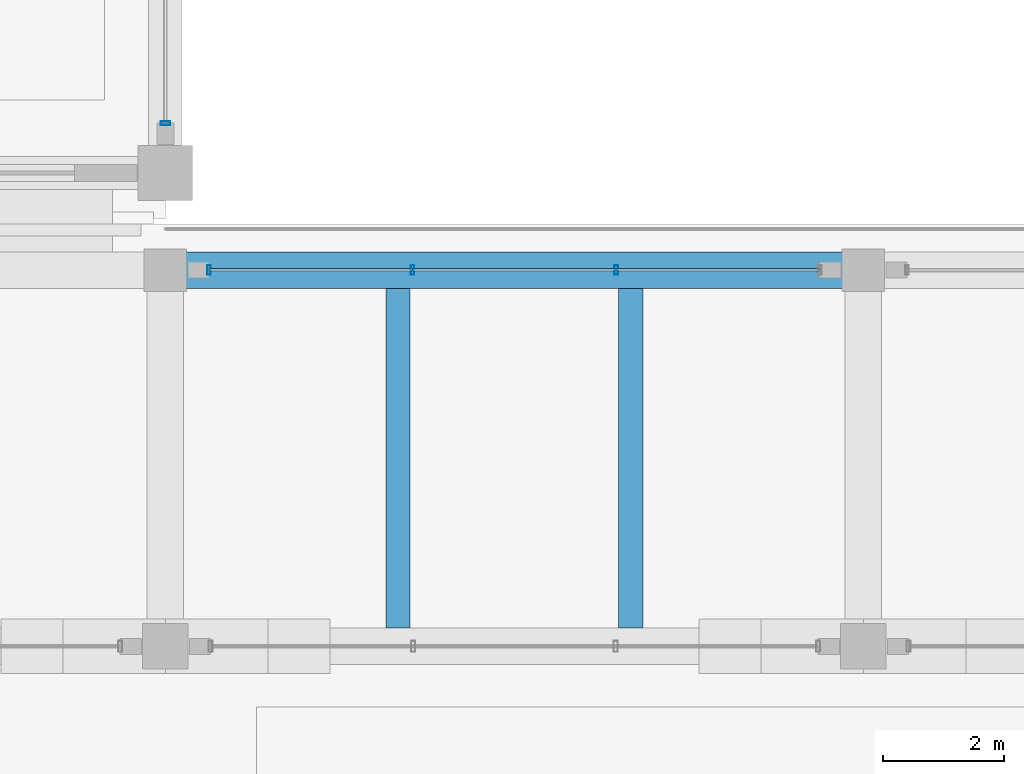
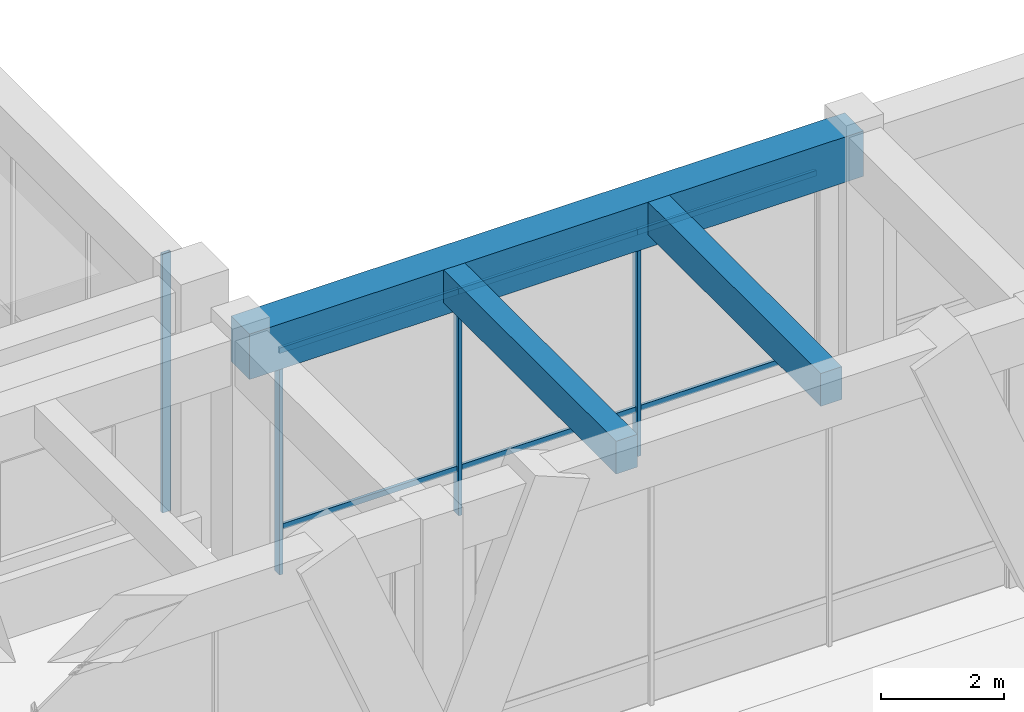
# One storey, part 62 of 148: 10 members, 3 beams, 2 elements without a shape of their own.
"""IFC4 building model written with IfcOpenShell, lengths in metres."""

from ifc_helpers import new_model, si_unit, direction, frame, origin, origin_2d, place, context, subcontext, project, spatial, rectangle, hollow_rectangle, extrude, material, material_profile, profile_set, type_object, element, aggregate, save


model = new_model("IFC4")

# Units and contexts
model_context = context("Model", 3, precision=1e-05, world=origin(), true_north=direction((0.0, 1.0)))
body_context = subcontext(model_context, "Body", "Model", "MODEL_VIEW")
ifc_project = project(units=[si_unit("LENGTHUNIT", "METRE"), si_unit("AREAUNIT", "SQUARE_METRE"), si_unit("VOLUMEUNIT", "CUBIC_METRE"), si_unit("PLANEANGLEUNIT", "RADIAN"), si_unit("MASSUNIT", "GRAM", prefix="KILO")], contexts=[model_context])

# Site, building, storey
site_placement = place(None, origin())
site = spatial("IfcSite", under=ifc_project, at=site_placement, CompositionType="ELEMENT")
building_placement = place(site_placement, origin())
building = spatial("IfcBuilding", under=site, at=building_placement, Name="Ologun Quay Terminus", CompositionType="ELEMENT")
storey_placement = place(building_placement, frame((0.0, 0.0, 8.39990234375)))
storey = spatial("IfcBuildingStorey", under=building, at=storey_placement, Name="L02", CompositionType="ELEMENT", Elevation=8.39990234375)

# Curtain wall, members
ifc_material_1 = material(Name="Aluminium 6063-T6", Category="aluminium")
curtain_wall_type_1 = type_object("IfcCurtainWallType", Name="Courtyard Overlook Concourse Curtain Wall 10700x4750", PredefinedType="USERDEFINED", material=ifc_material_1)
curtain_wall_1_placement = place(storey_placement, origin())
curtain_wall_1 = element("IfcCurtainWall", 1, at=curtain_wall_1_placement, inside=storey, type_object=curtain_wall_type_1, Name="CW-12 Curtain Wall CW-L02-080", ObjectType="UNITISED CURTAIN WALL", PredefinedType="USERDEFINED")
ifc_material_2 = material(Name="Aluminium 6063-T6", Category="aluminium")
ifc_material_profile_1 = material_profile(ifc_material_2, hollow_rectangle(XDim=0.06005859375, YDim=0.159912109375, WallThickness=0.00390625, at=origin_2d()), Name="ALU 160x60x4")
ifc_profile_set_1 = profile_set([ifc_material_profile_1], Name="Aluminium 6063-T6")
member_type_1 = type_object("IfcMemberType", Name="Courtyard Screen Mullion 160x65", PredefinedType="MULLION", material=ifc_profile_set_1)
member_1_placement = place(storey_placement, frame((69.719970703125, 84.199951171875, 0.0), z_axis=(0.0, 0.0, 1.0), x_axis=(1.0, 0.0, 0.0)))
member_1 = element("IfcMember", 2, at=member_1_placement, type_object=member_type_1, Name="CW-L02-080 Mullion 1", PredefinedType="MULLION", context=body_context, shape_type="SweptSolid", body=[
    extrude(hollow_rectangle(XDim=0.06005859375, YDim=0.159912109375, WallThickness=0.00390625, at=origin_2d()), origin(), (0.0, 0.0, 1.0), 5.10009765625),
])
member_2_placement = place(storey_placement, frame((73.0732421875, 84.199951171875, 0.0), z_axis=(0.0, 0.0, 1.0), x_axis=(1.0, 0.0, 0.0)))
member_2 = element("IfcMember", 3, at=member_2_placement, type_object=member_type_1, Name="CW-L02-080 Mullion 2", PredefinedType="MULLION", context=body_context, shape_type="SweptSolid", body=[
    extrude(hollow_rectangle(XDim=0.06005859375, YDim=0.159912109375, WallThickness=0.00390625, at=origin_2d()), origin(), (0.0, 0.0, 1.0), 5.10009765625),
])
member_3_placement = place(storey_placement, frame((76.4267578125, 84.199951171875, 0.0), z_axis=(0.0, 0.0, 1.0), x_axis=(1.0, 0.0, 0.0)))
member_3 = element("IfcMember", 4, at=member_3_placement, type_object=member_type_1, Name="CW-L02-080 Mullion 3", PredefinedType="MULLION", context=body_context, shape_type="SweptSolid", body=[
    extrude(hollow_rectangle(XDim=0.06005859375, YDim=0.159912109375, WallThickness=0.00390625, at=origin_2d()), origin(), (0.0, 0.0, 1.0), 5.10009765625),
])

# Curtain wall, member
ifc_material_3 = material(Name="Aluminium 6063-T6", Category="aluminium")
curtain_wall_type_2 = type_object("IfcCurtainWallType", Name="Rain-Garden West Courtyard Curtain Wall L02 8200x5000", PredefinedType="USERDEFINED", material=ifc_material_3)
curtain_wall_2_placement = place(storey_placement, origin())
curtain_wall_2 = element("IfcCurtainWall", 5, at=curtain_wall_2_placement, inside=storey, type_object=curtain_wall_type_2, Name="CW-15 Curtain Wall CW-L02-105", ObjectType="UNITISED CURTAIN WALL", PredefinedType="USERDEFINED")
member_4_placement = place(storey_placement, frame((69.0, 86.6201171875, 0.0), z_axis=(0.0, 0.0, 1.0), x_axis=(0.0, 1.0, 0.0)))
member_4 = element("IfcMember", 6, at=member_4_placement, type_object=member_type_1, Name="CW-L02-105 Mullion 1", PredefinedType="MULLION", context=body_context, shape_type="SweptSolid", body=[
    extrude(hollow_rectangle(XDim=0.06005859375, YDim=0.159912109375, WallThickness=0.00390625, at=origin_2d()), origin(), (0.0, 0.0, 1.0), 5.130126953125),
])
aggregate(curtain_wall_2, [member_4])

# Member
ifc_material_4 = material(Name="Aluminium 6063-T6", Category="aluminium")
ifc_material_profile_2 = material_profile(ifc_material_4, hollow_rectangle(XDim=0.054931640625, YDim=0.110107421875, WallThickness=0.00390625, at=origin_2d()), Name="ALU 110x55x4")
ifc_profile_set_2 = profile_set([ifc_material_profile_2], Name="Aluminium 6063-T6")
member_type_2 = type_object("IfcMemberType", Name="Courtyard Screen Transom 110x55", PredefinedType="USERDEFINED", material=ifc_profile_set_2)
member_5_placement = place(storey_placement, frame((69.719970703125, 84.199951171875, 0.900146484375), z_axis=(1.0, 0.0, 0.0), x_axis=(0.0, 1.0, 0.0)))
member_5 = element("IfcMember", 7, at=member_5_placement, type_object=member_type_2, Name="CW-L02-080 Transom B1-1", ObjectType="TRANSOM", PredefinedType="USERDEFINED", context=body_context, shape_type="SweptSolid", body=[
    extrude(hollow_rectangle(XDim=0.054931640625, YDim=0.110107421875, WallThickness=0.00390625, at=origin_2d()), origin(), (0.0, 0.0, 1.0), 3.353271484375),
])

member_6_placement = place(storey_placement, frame((69.719970703125, 84.199951171875, 4.400146484375), z_axis=(1.0, 0.0, 0.0), x_axis=(0.0, 1.0, 0.0)))
member_6 = element("IfcMember", 8, at=member_6_placement, type_object=member_type_2, Name="CW-L02-080 Transom B1-2", ObjectType="TRANSOM", PredefinedType="USERDEFINED", context=body_context, shape_type="SweptSolid", body=[
    extrude(hollow_rectangle(XDim=0.054931640625, YDim=0.110107421875, WallThickness=0.00390625, at=origin_2d()), origin(), (0.0, 0.0, 1.0), 3.353271484375),
])

member_7_placement = place(storey_placement, frame((73.0732421875, 84.199951171875, 0.900146484375), z_axis=(1.0, 0.0, 0.0), x_axis=(0.0, 1.0, 0.0)))
member_7 = element("IfcMember", 9, at=member_7_placement, type_object=member_type_2, Name="CW-L02-080 Transom B2-1", ObjectType="TRANSOM", PredefinedType="USERDEFINED", context=body_context, shape_type="SweptSolid", body=[
    extrude(hollow_rectangle(XDim=0.054931640625, YDim=0.110107421875, WallThickness=0.00390625, at=origin_2d()), origin(), (0.0, 0.0, 1.0), 3.353515625),
])

member_8_placement = place(storey_placement, frame((73.0732421875, 84.199951171875, 4.400146484375), z_axis=(1.0, 0.0, 0.0), x_axis=(0.0, 1.0, 0.0)))
member_8 = element("IfcMember", 10, at=member_8_placement, type_object=member_type_2, Name="CW-L02-080 Transom B2-2", ObjectType="TRANSOM", PredefinedType="USERDEFINED", context=body_context, shape_type="SweptSolid", body=[
    extrude(hollow_rectangle(XDim=0.054931640625, YDim=0.110107421875, WallThickness=0.00390625, at=origin_2d()), origin(), (0.0, 0.0, 1.0), 3.353515625),
])

member_9_placement = place(storey_placement, frame((76.4267578125, 84.199951171875, 0.900146484375), z_axis=(1.0, 0.0, 0.0), x_axis=(0.0, 1.0, 0.0)))
member_9 = element("IfcMember", 11, at=member_9_placement, type_object=member_type_2, Name="CW-L02-080 Transom B3-1", ObjectType="TRANSOM", PredefinedType="USERDEFINED", context=body_context, shape_type="SweptSolid", body=[
    extrude(hollow_rectangle(XDim=0.054931640625, YDim=0.110107421875, WallThickness=0.00390625, at=origin_2d()), origin(), (0.0, 0.0, 1.0), 3.353271484375),
])

member_10_placement = place(storey_placement, frame((76.4267578125, 84.199951171875, 4.400146484375), z_axis=(1.0, 0.0, 0.0), x_axis=(0.0, 1.0, 0.0)))
member_10 = element("IfcMember", 12, at=member_10_placement, type_object=member_type_2, Name="CW-L02-080 Transom B3-2", ObjectType="TRANSOM", PredefinedType="USERDEFINED", context=body_context, shape_type="SweptSolid", body=[
    extrude(hollow_rectangle(XDim=0.054931640625, YDim=0.110107421875, WallThickness=0.00390625, at=origin_2d()), origin(), (0.0, 0.0, 1.0), 3.353271484375),
])

aggregate(curtain_wall_1, [member_1, member_2, member_3, member_5, member_6, member_7, member_8, member_9, member_10])

# Beams
ifc_material_5 = material(Name="Concrete C40/50", Category="concrete")
ifc_material_profile_3 = material_profile(ifc_material_5, rectangle(XDim=0.60009765625, YDim=0.89990234375, at=origin_2d()), Name="RC 600x900")
ifc_profile_set_3 = profile_set([ifc_material_profile_3], Name="Concrete C40/50")
beam_type_1 = type_object("IfcBeamType", Name="Station Frame Girder 600x900", PredefinedType="BEAM", material=ifc_profile_set_3)
beam_placement = place(storey_placement, frame((69.0, 84.199951171875, 4.7001953125), z_axis=(1.0, 0.0, 0.0), x_axis=(0.0, 1.0, 0.0)))
element("IfcBeam", 13, at=beam_placement, inside=storey, type_object=beam_type_1, Name="B3 Beam 7/G1 L02", PredefinedType="BEAM", context=body_context, shape_type="SweptSolid", body=[
    extrude(rectangle(XDim=0.60009765625, YDim=0.89990234375, at=origin_2d()), origin(), (0.0, 0.0, 1.0), 11.5),
])
ifc_material_6 = material(Name="Concrete C40/50", Category="concrete")
ifc_material_profile_4 = material_profile(ifc_material_6, rectangle(XDim=0.39990234375, YDim=0.64990234375, at=origin_2d()), Name="RC 400x650")
ifc_profile_set_4 = profile_set([ifc_material_profile_4], Name="Concrete C40/50")
beam_type_2 = type_object("IfcBeamType", Name="Station Secondary Joist 400x650", PredefinedType="JOIST", material=ifc_profile_set_4)
for number, where, z_axis, x_axis, name in (
    (14, (72.833251953125, 78.300048828125, 4.8251953125), (0.0, 1.0, 0.0), (-1.0, 0.0, 0.0), "J1 Beam 7/F L02"),
    (15, (76.666748046875, 78.300048828125, 4.8251953125), (0.0, 1.0, 0.0), (-1.0, 0.0, 0.0), "J1 Beam 7/F L02"),
):
    element("IfcBeam", number, at=place(storey_placement, frame(where, z_axis=z_axis, x_axis=x_axis)), inside=storey, type_object=beam_type_2, Name=name, PredefinedType="JOIST", context=body_context, shape_type="SweptSolid", body=[
        extrude(rectangle(XDim=0.39990234375, YDim=0.64990234375, at=origin_2d()), origin(), (0.0, 0.0, 1.0), 5.599853515625),
    ])

save(model, "model.ifc")
